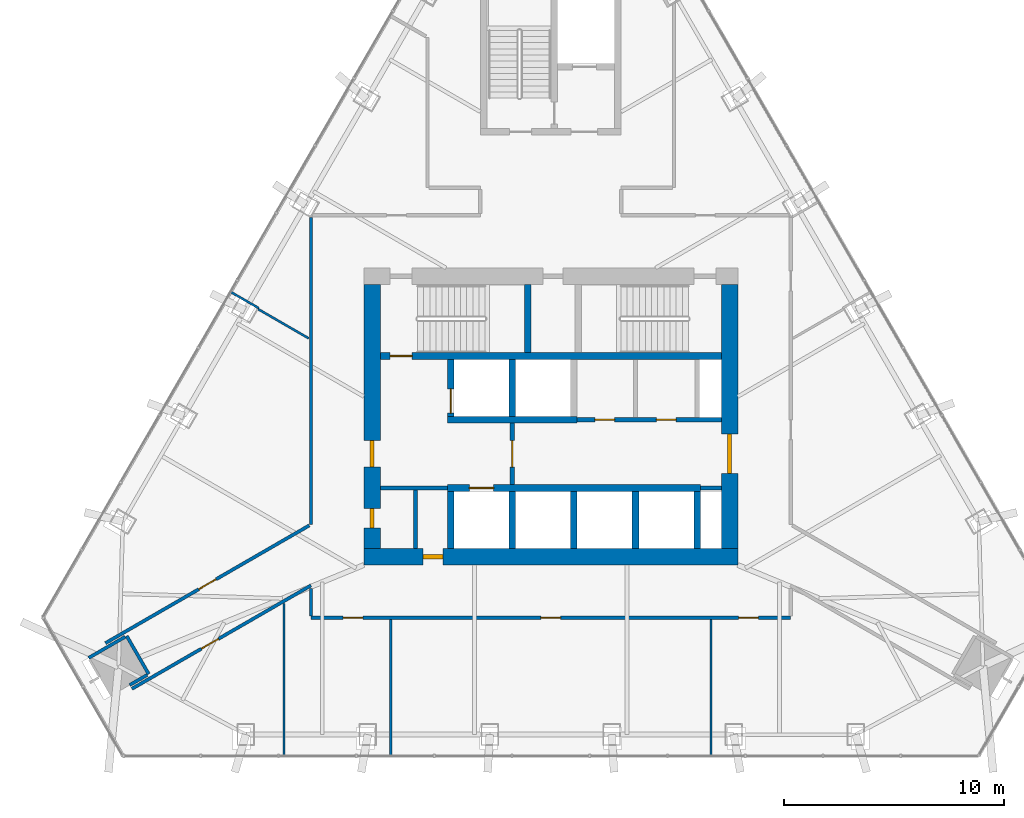
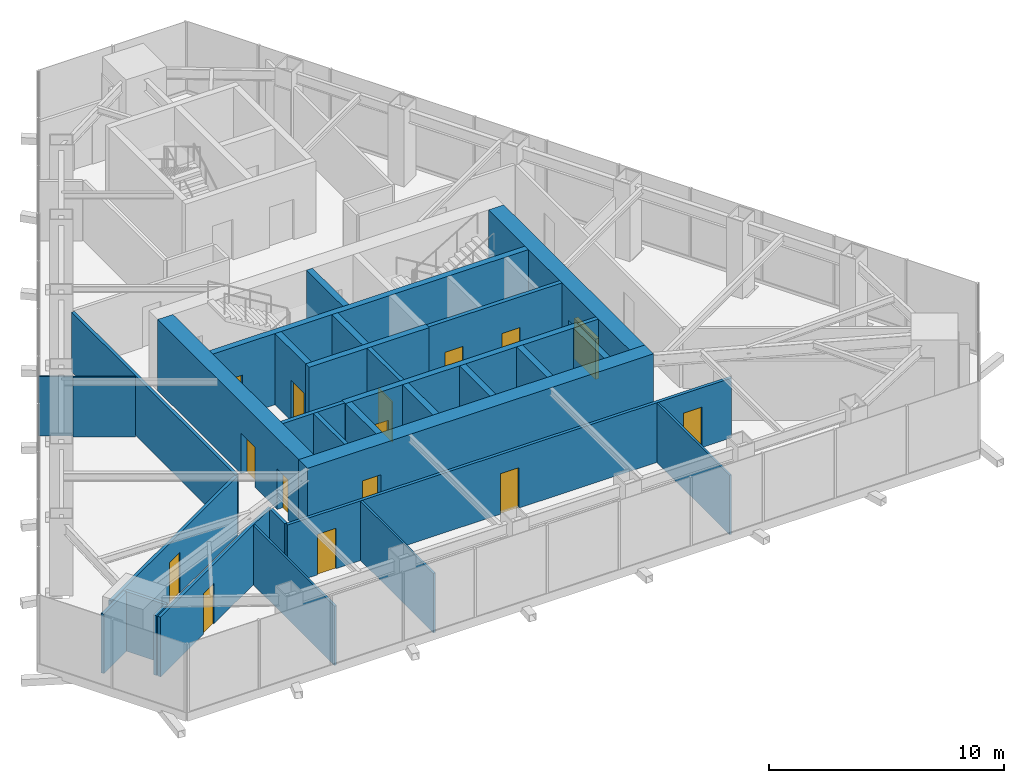
# One storey, part 11 of 14: 32 walls, 15 doors, 15 openings.
"""IFC4 building model written with IfcOpenShell, lengths in metres."""

import ifcopenshell
import ifcopenshell.guid

model = None  # the IFC model being written
_history = None  # IfcOwnerHistory: only IFC2X3 demands one
_inside = {}  # id of a spatial element -> (the spatial element, [elements in it])
_under = {}  # id of a project, library or spatial element -> (it, [spatial elements below it])
_declared = {}  # id of a project -> (the project, [libraries it declares])
_typed = {}  # id of a type object -> (the type object, [elements of that type])
_made_of = {}  # id of a material, layer set ... -> (it, [elements and type objects made of it])


def new_model(schema):
    """Start an empty IFC model of exactly this schema.

    Asked for "IFC4X3", IfcOpenShell would pick the latest addendum, in which some entities
    have other attributes; the version numbers below select the first issue.
    IFC2X3 requires an IfcOwnerHistory on every rooted entity: one is made here for all.
    """
    global model, _history
    if schema == "IFC4X3":
        model = ifcopenshell.file(schema_version=(4, 3, 0, 0))
    else:
        model = ifcopenshell.file(schema=schema)
    _inside.clear()
    _under.clear()
    _declared.clear()
    _typed.clear()
    _made_of.clear()
    _history = None
    if model.schema == "IFC2X3":
        org = make("IfcOrganization", Name="unknown")
        user = make(
            "IfcPersonAndOrganization",
            ThePerson=make("IfcPerson", FamilyName="unknown"),
            TheOrganization=org,
        )
        app = make(
            "IfcApplication",
            ApplicationDeveloper=org,
            Version="unknown",
            ApplicationFullName="unknown",
            ApplicationIdentifier="unknown",
        )
        _history = make(
            "IfcOwnerHistory",
            OwningUser=user,
            OwningApplication=app,
            ChangeAction="ADDED",
            CreationDate=0,
        )
    return model


def make(cls, **values):
    """One entity of the class cls with the attributes given. An attribute that is None is left unset."""
    return model.create_entity(
        cls, **{name: value for name, value in values.items() if value is not None}
    )


def rooted(cls, **values):
    """An entity with a GlobalId (a new one), such as an element, a storey or a relation."""
    return make(cls, GlobalId=ifcopenshell.guid.new(), OwnerHistory=_history, **values)


def si_unit(unit_type, name, prefix=None):
    """IfcSIUnit, for example si_unit("LENGTHUNIT", "METRE", prefix="MILLI")."""
    return make("IfcSIUnit", UnitType=unit_type, Prefix=prefix, Name=name)


def assignment(units):
    """IfcUnitAssignment: the units of a project."""
    return None if units is None else make("IfcUnitAssignment", Units=units)


def point(xyz):
    """IfcCartesianPoint."""
    return None if xyz is None else make("IfcCartesianPoint", Coordinates=xyz)


def direction(xyz):
    """IfcDirection."""
    return None if xyz is None else make("IfcDirection", DirectionRatios=xyz)


def frame(location, z_axis=None, x_axis=None):
    """IfcAxis2Placement3D, a coordinate frame: its origin and axes. An axis left out is left unset."""
    return make(
        "IfcAxis2Placement3D",
        Location=point(location),
        Axis=direction(z_axis),
        RefDirection=direction(x_axis),
    )


def frame_2d(location, x_axis=None):
    """IfcAxis2Placement2D, a coordinate frame in the plane: its origin and x axis."""
    return make(
        "IfcAxis2Placement2D", Location=point(location), RefDirection=direction(x_axis)
    )


def origin():
    """The frame at (0, 0, 0) with its axes left unset."""
    return frame((0.0, 0.0, 0.0))


def place(relative_to, where):
    """IfcLocalPlacement: puts the frame where relative to a parent placement (None: the world)."""
    return make(
        "IfcLocalPlacement", PlacementRelTo=relative_to, RelativePlacement=where
    )


def context(
    kind, dimensions, precision=None, world=None, true_north=None, identifier=None
):
    """IfcGeometricRepresentationContext, for example the 3D "Model" context."""
    return make(
        "IfcGeometricRepresentationContext",
        ContextIdentifier=identifier,
        ContextType=kind,
        CoordinateSpaceDimension=dimensions,
        Precision=precision,
        WorldCoordinateSystem=world,
        TrueNorth=true_north,
    )


def subcontext(parent, identifier, kind, view, scale=None):
    """IfcGeometricRepresentationSubContext, for example "Body" below "Model"."""
    return make(
        "IfcGeometricRepresentationSubContext",
        ContextIdentifier=identifier,
        ContextType=kind,
        ParentContext=parent,
        TargetScale=scale,
        TargetView=view,
    )


def project(units=None, contexts=None):
    """IfcProject with its units and contexts."""
    return rooted(
        "IfcProject",
        Name="project",
        RepresentationContexts=contexts,
        UnitsInContext=assignment(units),
    )


def spatial(cls, under=None, at=None, **own):
    """A site, building, storey or space (cls), placed at a placement, below another one or the project."""
    s = rooted(cls, ObjectPlacement=at, **own)
    if under is not None:
        _under.setdefault(under.id(), (under, []))[1].append(s)
    return s


def profile(cls, at=None, kind="AREA", **sizes):
    """A parametric profile (cls). Its sizes go by their IFC names, for example OverallWidth=200.0."""
    return make(cls, ProfileType=kind, Position=at, **sizes)


def rectangle(**sizes):
    """IfcRectangleProfileDef."""
    return profile("IfcRectangleProfileDef", **sizes)


def extrude(swept, where, along, depth):
    """IfcExtrudedAreaSolid: the profile swept, set in the frame where, extruded along a direction by depth."""
    return make(
        "IfcExtrudedAreaSolid",
        SweptArea=swept,
        Position=where,
        ExtrudedDirection=direction(along),
        Depth=depth,
    )


def shape(context_of_items, identifier, shape_type, items):
    """IfcShapeRepresentation: the items that make up one representation, for example the "Body"."""
    return make(
        "IfcShapeRepresentation",
        ContextOfItems=context_of_items,
        RepresentationIdentifier=identifier,
        RepresentationType=shape_type,
        Items=items,
    )


def material(Name=None, Category=None):
    """IfcMaterial."""
    return make("IfcMaterial", Name=Name, Category=Category)


def layer(
    of_material, thickness, ventilated=None, Name=None, Category=None, Priority=None
):
    """IfcMaterialLayer: one layer of a wall or slab, of a material (None: an air gap)."""
    return make(
        "IfcMaterialLayer",
        Material=of_material,
        LayerThickness=thickness,
        IsVentilated=ventilated,
        Name=Name,
        Category=Category,
        Priority=Priority,
    )


def layer_set(layers, Name=None):
    """IfcMaterialLayerSet."""
    return make("IfcMaterialLayerSet", MaterialLayers=layers, LayerSetName=Name)


def made_of(thing, what):
    """Note that an element or type object is made of a material, layer set ...; save() writes the relation."""
    if what is not None:
        _made_of.setdefault(what.id(), (what, []))[1].append(thing)
    return thing


def type_object(cls, material=None, **own):
    """A type object (cls), such as IfcWallType, which elements share."""
    return made_of(rooted(cls, **own), material)


def element(
    cls,
    number,
    at=None,
    inside=None,
    cuts=None,
    type_object=None,
    material=None,
    context=None,
    identifier="Body",
    shape_type=None,
    held_by="IfcProductDefinitionShape",
    body=None,
    shapes=None,
    **own,
):
    """One element of the class cls, such as IfcWall. Its Tag is "e" and its number.

    at: its placement. inside: the storey or other place that contains it. cuts: it is an
    opening in that element (IfcRelVoidsElement). A single representation is given by context,
    identifier, shape_type and body (its items); several are given by shapes. held_by: the class
    of the entity that holds the representations. save() writes the other relations.
    """
    e = rooted(cls, Tag="e%d" % number, ObjectPlacement=at, **own)
    if body is not None:
        shapes = [shape(context, identifier, shape_type, body)]
    if shapes is not None:
        e.Representation = make(held_by, Representations=shapes)
    if inside is not None:
        _inside.setdefault(inside.id(), (inside, []))[1].append(e)
    if cuts is not None:
        rooted(
            "IfcRelVoidsElement", RelatingBuildingElement=cuts, RelatedOpeningElement=e
        )
    if type_object is not None:
        _typed.setdefault(type_object.id(), (type_object, []))[1].append(e)
    return made_of(e, material)


def fill(opening, filler):
    """IfcRelFillsElement: the door or window that sits in an opening."""
    return rooted(
        "IfcRelFillsElement",
        RelatingOpeningElement=opening,
        RelatedBuildingElement=filler,
    )


def aggregate(whole, parts):
    """IfcRelAggregates: a whole, such as a stair, and the parts it consists of."""
    return rooted("IfcRelAggregates", RelatingObject=whole, RelatedObjects=parts)


def save(model, path):
    """Write the relations noted so far, then the file.

    IfcRelAggregates (storeys below a building ...), IfcRelContainedInSpatialStructure (elements
    in a storey), IfcRelDefinesByType, IfcRelAssociatesMaterial and IfcRelDeclares: one each for
    every whole, place, type object, material and project.
    """
    for whole, parts in _under.values():
        aggregate(whole, parts)
    for where, things in _inside.values():
        rooted(
            "IfcRelContainedInSpatialStructure",
            RelatedElements=things,
            RelatingStructure=where,
        )
    for kind, things in _typed.values():
        rooted("IfcRelDefinesByType", RelatedObjects=things, RelatingType=kind)
    for what, things in _made_of.values():
        rooted("IfcRelAssociatesMaterial", RelatedObjects=things, RelatingMaterial=what)
    for by, libraries in _declared.values():
        rooted("IfcRelDeclares", RelatingContext=by, RelatedDefinitions=libraries)
    model.write(path)


model = new_model("IFC4")

# Units and contexts
model_context = context("Model", 3, precision=1e-05, world=origin(), true_north=direction((0.0, 1.0)))
body_context = subcontext(model_context, "Body", "Model", "MODEL_VIEW")
ifc_project = project(units=[si_unit("LENGTHUNIT", "METRE"), si_unit("AREAUNIT", "SQUARE_METRE"), si_unit("VOLUMEUNIT", "CUBIC_METRE"), si_unit("PLANEANGLEUNIT", "RADIAN"), si_unit("MASSUNIT", "GRAM", prefix="KILO")], contexts=[model_context])

# Site, building, storey
site_placement = place(None, origin())
site = spatial("IfcSite", under=ifc_project, at=site_placement, CompositionType="ELEMENT")
building_placement = place(site_placement, origin())
building = spatial("IfcBuilding", under=site, at=building_placement, Name="Firuza Gate Tower and Library", CompositionType="ELEMENT")
storey_placement = place(building_placement, frame((0.0, 0.0, 331.60009765625)))
storey = spatial("IfcBuildingStorey", under=building, at=storey_placement, Name="L81", CompositionType="ELEMENT", Elevation=331.60009765625)

# Walls
ifc_material_1 = material(Name="Plasterboard on steel studs", Category="steel")
ifc_layer_1 = layer(ifc_material_1, 0.199951171875)
ifc_layer_set_1 = layer_set([ifc_layer_1], Name="Core partition 200 EI 120")
wall_type_1 = type_object("IfcWallType", Name="Core partition 200 EI 120", PredefinedType="PARTITIONING", material=ifc_layer_set_1)
wall_1_placement = place(storey_placement, frame((67.25, 71.75, 0.0), z_axis=(0.0, 0.0, 1.0), x_axis=(1.0, 0.0, 0.0)))
element("IfcWall", 1, at=wall_1_placement, inside=storey, type_object=wall_type_1, Name="Core partition L81 1", PredefinedType="PARTITIONING", context=body_context, shape_type="SweptSolid", body=[
    extrude(rectangle(XDim=3.050048828125, YDim=0.199951171875, at=frame_2d((1.52490234375, 0.0))), origin(), (0.0, 0.0, 1.0), 3.699951171875),
])
wall_2_placement = place(storey_placement, frame((81.800048828125, 71.75, 0.0), z_axis=(0.0, 0.0, 1.0), x_axis=(1.0, 0.0, 0.0)))
element("IfcWall", 2, at=wall_2_placement, inside=storey, type_object=wall_type_1, Name="Core partition L81 2", PredefinedType="PARTITIONING", context=body_context, shape_type="SweptSolid", body=[
    extrude(rectangle(XDim=0.949951171875, YDim=0.199951171875, at=frame_2d((0.47509765625, 0.0))), origin(), (0.0, 0.0, 1.0), 3.699951171875),
])

# Wall, openings, doors
wall_3_placement = place(storey_placement, frame((76.199951171875, 74.85009765625, 0.0), z_axis=(0.0, 0.0, 1.0), x_axis=(1.0, 0.0, 0.0)))
wall_3 = element("IfcWall", 3, at=wall_3_placement, inside=storey, type_object=wall_type_1, Name="Core partition L81 3", PredefinedType="PARTITIONING", context=body_context, shape_type="SweptSolid", body=[
    extrude(rectangle(XDim=6.550048828125, YDim=0.199951171875, at=frame_2d((3.27490234375, 0.0))), origin(), (0.0, 0.0, 1.0), 3.699951171875),
])
opening_1_placement = place(wall_3_placement, frame((0.800048828125, 0.0, 0.0)))
opening_1 = element("IfcOpeningElement", 4, at=opening_1_placement, cuts=wall_3, Name="Opening L81-K15", PredefinedType="OPENING", context=body_context, shape_type="SweptSolid", body=[
    extrude(rectangle(XDim=0.89990234375, YDim=2.10009765625, at=frame_2d((0.449951171875, 1.050048828125))), frame((0.0, 0.10986328125, 0.0), z_axis=(0.0, -1.0, 0.0), x_axis=(1.0, 0.0, 0.0)), (0.0, 0.0, 1.0), 0.219970703125),
])
opening_2_placement = place(wall_3_placement, frame((3.60009765625, 0.0, 0.0)))
opening_2 = element("IfcOpeningElement", 5, at=opening_2_placement, cuts=wall_3, Name="Opening L81-K16", PredefinedType="OPENING", context=body_context, shape_type="SweptSolid", body=[
    extrude(rectangle(XDim=0.89990234375, YDim=2.10009765625, at=frame_2d((0.449951171875, 1.050048828125))), frame((0.0, 0.10986328125, 0.0), z_axis=(0.0, -1.0, 0.0), x_axis=(1.0, 0.0, 0.0)), (0.0, 0.0, 1.0), 0.219970703125),
])
ifc_material_2 = material(Name="Steel", Category="steel")
door_type_1 = type_object("IfcDoorType", Name="Fire door 900x2100 FD30S", OperationType="NOTDEFINED", PredefinedType="DOOR", material=ifc_material_2)
door_1_placement = place(opening_1_placement, origin())
door_1 = element("IfcDoor", 6, at=door_1_placement, inside=storey, type_object=door_type_1, Name="Door L81-K15", OperationType="SINGLE_SWING_RIGHT", OverallHeight=2.10009765625, OverallWidth=0.89990234375, PredefinedType="DOOR", context=body_context, shape_type="SweptSolid", body=[
    extrude(rectangle(XDim=0.89990234375, YDim=2.10009765625, at=frame_2d((0.449951171875, 1.050048828125))), frame((0.0, 0.02490234375, 0.0), z_axis=(0.0, -1.0, 0.0), x_axis=(1.0, 0.0, 0.0)), (0.0, 0.0, 1.0), 0.050048828125),
])
fill(opening_1, door_1)
door_2_placement = place(opening_2_placement, origin())
door_2 = element("IfcDoor", 7, at=door_2_placement, inside=storey, type_object=door_type_1, Name="Door L81-K16", OperationType="SINGLE_SWING_LEFT", OverallHeight=2.10009765625, OverallWidth=0.89990234375, PredefinedType="DOOR", context=body_context, shape_type="SweptSolid", body=[
    extrude(rectangle(XDim=0.89990234375, YDim=2.10009765625, at=frame_2d((0.449951171875, 1.050048828125))), frame((0.0, 0.02490234375, 0.0), z_axis=(0.0, -1.0, 0.0), x_axis=(1.0, 0.0, 0.0)), (0.0, 0.0, 1.0), 0.050048828125),
])
fill(opening_2, door_2)

# Wall
wall_4_placement = place(storey_placement, frame((68.85009765625, 69.0, 0.0), z_axis=(0.0, 0.0, 1.0), x_axis=(0.0, 1.0, 0.0)))
element("IfcWall", 8, at=wall_4_placement, inside=storey, type_object=wall_type_1, Name="Core partition L81 4", PredefinedType="PARTITIONING", context=body_context, shape_type="SweptSolid", body=[
    extrude(rectangle(XDim=2.64990234375, YDim=0.199951171875, at=frame_2d((1.324951171875, 0.0))), origin(), (0.0, 0.0, 1.0), 3.699951171875),
])

# Wall, opening, door
ifc_material_3 = material(Name="Plasterboard on steel studs", Category="steel")
ifc_layer_2 = layer(ifc_material_3, 0.199951171875)
ifc_layer_set_2 = layer_set([ifc_layer_2], Name="Core partition 200 EI 60")
wall_type_2 = type_object("IfcWallType", Name="Core partition 200 EI 60", PredefinedType="PARTITIONING", material=ifc_layer_set_2)
wall_5_placement = place(storey_placement, frame((73.25, 71.89990234375, 0.0), z_axis=(0.0, 0.0, 1.0), x_axis=(0.0, 1.0, 0.0)))
wall_5 = element("IfcWall", 9, at=wall_5_placement, inside=storey, type_object=wall_type_2, Name="Core partition L81 5", PredefinedType="PARTITIONING", context=body_context, shape_type="SweptSolid", body=[
    extrude(rectangle(XDim=2.800048828125, YDim=0.199951171875, at=frame_2d((1.39990234375, 0.0))), origin(), (0.0, 0.0, 1.0), 3.699951171875),
])
opening_3_placement = place(wall_5_placement, frame((0.800048828125, 0.0, 0.0)))
opening_3 = element("IfcOpeningElement", 10, at=opening_3_placement, cuts=wall_5, Name="Opening L81-K10", PredefinedType="OPENING", context=body_context, shape_type="SweptSolid", body=[
    extrude(rectangle(XDim=1.199951171875, YDim=2.10009765625, at=frame_2d((0.60009765625, 1.050048828125))), frame((0.0, 0.10986328125, 0.0), z_axis=(0.0, -1.0, 0.0), x_axis=(1.0, 0.0, 0.0)), (0.0, 0.0, 1.0), 0.219970703125),
])
ifc_material_4 = material(Name="Steel", Category="steel")
door_type_2 = type_object("IfcDoorType", Name="Fire door 1200x2100 FD90S", OperationType="NOTDEFINED", PredefinedType="DOOR", material=ifc_material_4)
door_3_placement = place(opening_3_placement, origin())
door_3 = element("IfcDoor", 11, at=door_3_placement, inside=storey, type_object=door_type_2, Name="Door L81-K10", OperationType="SINGLE_SWING_LEFT", OverallHeight=2.10009765625, OverallWidth=1.199951171875, PredefinedType="DOOR", context=body_context, shape_type="SweptSolid", body=[
    extrude(rectangle(XDim=1.199951171875, YDim=2.10009765625, at=frame_2d((0.60009765625, 1.050048828125))), frame((0.0, 0.02490234375, 0.0), z_axis=(0.0, -1.0, 0.0), x_axis=(1.0, 0.0, 0.0)), (0.0, 0.0, 1.0), 0.050048828125),
])
fill(opening_3, door_3)

ifc_material_5 = material(Name="Concrete C60/75", Category="concrete")
ifc_layer_3 = layer(ifc_material_5, 0.300048828125)
ifc_layer_set_3 = layer_set([ifc_layer_3], Name="Core wall 300 C60/75")
wall_type_3 = type_object("IfcWallType", Name="Core wall 300 C60/75", PredefinedType="SHEAR", material=ifc_layer_set_3)
wall_6_placement = place(storey_placement, frame((70.300048828125, 71.75, 0.0), z_axis=(0.0, 0.0, 1.0), x_axis=(1.0, 0.0, 0.0)))
wall_6 = element("IfcWall", 12, at=wall_6_placement, inside=storey, type_object=wall_type_3, Name="Core wall L81 5", PredefinedType="SHEAR", context=body_context, shape_type="SweptSolid", body=[
    extrude(rectangle(XDim=11.5, YDim=0.300048828125, at=frame_2d((5.75, 0.0))), origin(), (0.0, 0.0, 1.0), 3.699951171875),
])
opening_4_placement = place(wall_6_placement, frame((1.0, 0.0, 0.0)))
opening_4 = element("IfcOpeningElement", 13, at=opening_4_placement, cuts=wall_6, Name="Opening LD-FF1-L81", PredefinedType="OPENING", context=body_context, shape_type="SweptSolid", body=[
    extrude(rectangle(XDim=1.10009765625, YDim=2.10009765625, at=frame_2d((0.550048828125, 1.050048828125))), frame((0.0, 0.16015625, 0.0), z_axis=(0.0, -1.0, 0.0), x_axis=(1.0, 0.0, 0.0)), (0.0, 0.0, 1.0), 0.320068359375),
])
ifc_material_6 = material(Name="Stainless steel", Category="steel")
door_type_3 = type_object("IfcDoorType", Name="Lift landing door 1100x2100", OperationType="DOUBLE_DOOR_SLIDING", PredefinedType="DOOR", material=ifc_material_6)
door_4_placement = place(opening_4_placement, origin())
door_4 = element("IfcDoor", 14, at=door_4_placement, inside=storey, type_object=door_type_3, Name="Landing door FF1 L81", OperationType="DOUBLE_DOOR_SLIDING", OverallHeight=2.10009765625, OverallWidth=1.10009765625, PredefinedType="DOOR", context=body_context, shape_type="SweptSolid", body=[
    extrude(rectangle(XDim=1.10009765625, YDim=2.10009765625, at=frame_2d((0.550048828125, 1.050048828125))), frame((0.0, 0.02490234375, 0.0), z_axis=(0.0, -1.0, 0.0), x_axis=(1.0, 0.0, 0.0)), (0.0, 0.0, 1.0), 0.050048828125),
])
fill(opening_4, door_4)

# Walls
wall_7_placement = place(storey_placement, frame((70.300048828125, 74.85009765625, 0.0), z_axis=(0.0, 0.0, 1.0), x_axis=(1.0, 0.0, 0.0)))
element("IfcWall", 15, at=wall_7_placement, inside=storey, type_object=wall_type_3, Name="Core wall L81 6", PredefinedType="SHEAR", context=body_context, shape_type="SweptSolid", body=[
    extrude(rectangle(XDim=5.89990234375, YDim=0.300048828125, at=frame_2d((2.949951171875, 0.0))), origin(), (0.0, 0.0, 1.0), 3.699951171875),
])
wall_8_placement = place(storey_placement, frame((70.449951171875, 69.0, 0.0), z_axis=(0.0, 0.0, 1.0), x_axis=(0.0, 1.0, 0.0)))
element("IfcWall", 16, at=wall_8_placement, inside=storey, type_object=wall_type_3, Name="Core wall L81 7", PredefinedType="SHEAR", context=body_context, shape_type="SweptSolid", body=[
    extrude(rectangle(XDim=2.60009765625, YDim=0.300048828125, at=frame_2d((1.300048828125, 0.0))), origin(), (0.0, 0.0, 1.0), 3.699951171875),
])

# Wall, opening, door
wall_9_placement = place(storey_placement, frame((70.449951171875, 75.0, 0.0), z_axis=(0.0, 0.0, 1.0), x_axis=(0.0, 1.0, 0.0)))
wall_9 = element("IfcWall", 17, at=wall_9_placement, inside=storey, type_object=wall_type_3, Name="Core wall L81 8", PredefinedType="SHEAR", context=body_context, shape_type="SweptSolid", body=[
    extrude(rectangle(XDim=2.60009765625, YDim=0.300048828125, at=frame_2d((1.300048828125, 0.0))), origin(), (0.0, 0.0, 1.0), 3.699951171875),
])
opening_5_placement = place(wall_9_placement, frame((0.14990234375, 0.0, 0.0)))
opening_5 = element("IfcOpeningElement", 18, at=opening_5_placement, cuts=wall_9, Name="Opening LD-FF2-L81", PredefinedType="OPENING", context=body_context, shape_type="SweptSolid", body=[
    extrude(rectangle(XDim=1.10009765625, YDim=2.10009765625, at=frame_2d((0.550048828125, 1.050048828125))), frame((0.0, 0.16015625, 0.0), z_axis=(0.0, -1.0, 0.0), x_axis=(1.0, 0.0, 0.0)), (0.0, 0.0, 1.0), 0.320068359375),
])
door_5_placement = place(opening_5_placement, origin())
door_5 = element("IfcDoor", 19, at=door_5_placement, inside=storey, type_object=door_type_3, Name="Landing door FF2 L81", OperationType="DOUBLE_DOOR_SLIDING", OverallHeight=2.10009765625, OverallWidth=1.10009765625, PredefinedType="DOOR", context=body_context, shape_type="SweptSolid", body=[
    extrude(rectangle(XDim=1.10009765625, YDim=2.10009765625, at=frame_2d((0.550048828125, 1.050048828125))), frame((0.0, 0.02490234375, 0.0), z_axis=(0.0, -1.0, 0.0), x_axis=(1.0, 0.0, 0.0)), (0.0, 0.0, 1.0), 0.050048828125),
])
fill(opening_5, door_5)

# Walls
for number, where, z_axis, x_axis, name in (
    (20, (73.25, 69.0, 0.0), (0.0, 0.0, 1.0), (0.0, 1.0, 0.0), "Core wall L81 9"),
    (21, (73.25, 75.0, 0.0), (0.0, 0.0, 1.0), (0.0, 1.0, 0.0), "Core wall L81 10"),
    (22, (76.050048828125, 69.0, 0.0), (0.0, 0.0, 1.0), (0.0, 1.0, 0.0), "Core wall L81 11"),
    (23, (78.85009765625, 69.0, 0.0), (0.0, 0.0, 1.0), (0.0, 1.0, 0.0), "Core wall L81 13"),
    (24, (81.64990234375, 69.0, 0.0), (0.0, 0.0, 1.0), (0.0, 1.0, 0.0), "Core wall L81 14"),
):
    element("IfcWall", number, at=place(storey_placement, frame(where, z_axis=z_axis, x_axis=x_axis)), inside=storey, type_object=wall_type_3, Name=name, PredefinedType="SHEAR", context=body_context, shape_type="SweptSolid", body=[
        extrude(rectangle(XDim=2.60009765625, YDim=0.300048828125, at=frame_2d((1.300048828125, 0.0))), origin(), (0.0, 0.0, 1.0), 3.699951171875),
    ])

# Wall, opening, door
wall_10_placement = place(storey_placement, frame((67.25, 77.75, 0.0), z_axis=(0.0, 0.0, 1.0), x_axis=(1.0, 0.0, 0.0)))
wall_10 = element("IfcWall", 25, at=wall_10_placement, inside=storey, type_object=wall_type_3, Name="Core wall L81 15", PredefinedType="SHEAR", context=body_context, shape_type="SweptSolid", body=[
    extrude(rectangle(XDim=15.5, YDim=0.300048828125, at=frame_2d((7.75, 0.0))), origin(), (0.0, 0.0, 1.0), 3.699951171875),
])
opening_6_placement = place(wall_10_placement, frame((0.445068359375, 0.0, 0.0)))
opening_6 = element("IfcOpeningElement", 26, at=opening_6_placement, cuts=wall_10, Name="Opening L81-K04", PredefinedType="OPENING", context=body_context, shape_type="SweptSolid", body=[
    extrude(rectangle(XDim=1.0, YDim=2.10009765625, at=frame_2d((0.5, 1.050048828125))), frame((0.0, 0.16015625, 0.0), z_axis=(0.0, -1.0, 0.0), x_axis=(1.0, 0.0, 0.0)), (0.0, 0.0, 1.0), 0.320068359375),
])
ifc_material_7 = material(Name="Steel", Category="steel")
door_type_4 = type_object("IfcDoorType", Name="Fire door 1000x2100 FD90", OperationType="NOTDEFINED", PredefinedType="DOOR", material=ifc_material_7)
door_6_placement = place(opening_6_placement, origin())
door_6 = element("IfcDoor", 27, at=door_6_placement, inside=storey, type_object=door_type_4, Name="Door L81-K04", OperationType="SINGLE_SWING_LEFT", OverallHeight=2.10009765625, OverallWidth=1.0, PredefinedType="DOOR", context=body_context, shape_type="SweptSolid", body=[
    extrude(rectangle(XDim=1.0, YDim=2.10009765625, at=frame_2d((0.5, 1.050048828125))), frame((0.0, 0.02490234375, 0.0), z_axis=(0.0, -1.0, 0.0), x_axis=(1.0, 0.0, 0.0)), (0.0, 0.0, 1.0), 0.050048828125),
])
fill(opening_6, door_6)

# Wall
wall_11_placement = place(storey_placement, frame((73.9599609375, 77.89990234375, 0.0), z_axis=(0.0, 0.0, 1.0), x_axis=(0.0, 1.0, 0.0)))
element("IfcWall", 28, at=wall_11_placement, inside=storey, type_object=wall_type_3, Name="Core wall L81 16", PredefinedType="SHEAR", context=body_context, shape_type="SweptSolid", body=[
    extrude(rectangle(XDim=3.10009765625, YDim=0.300048828125, at=frame_2d((1.550048828125, 0.0))), origin(), (0.0, 0.0, 1.0), 3.699951171875),
])

# Wall, opening, door
ifc_material_8 = material(Name="Concrete C60/75", Category="concrete")
ifc_layer_4 = layer(ifc_material_8, 0.75)
ifc_layer_set_4 = layer_set([ifc_layer_4], Name="Core wall 750 C60/75")
wall_type_4 = type_object("IfcWallType", Name="Core wall 750 C60/75", PredefinedType="SHEAR", material=ifc_layer_set_4)
wall_12_placement = place(storey_placement, frame((66.5, 68.625, 0.0), z_axis=(0.0, 0.0, 1.0), x_axis=(1.0, 0.0, 0.0)))
wall_12 = element("IfcWall", 29, at=wall_12_placement, inside=storey, type_object=wall_type_4, Name="Core wall L81 1", PredefinedType="SHEAR", context=body_context, shape_type="SweptSolid", body=[
    extrude(rectangle(XDim=17.0, YDim=0.75, at=frame_2d((8.5, 0.0))), origin(), (0.0, 0.0, 1.0), 3.699951171875),
])
opening_7_placement = place(wall_12_placement, frame((2.699951171875, 0.0, 0.0)))
opening_7 = element("IfcOpeningElement", 30, at=opening_7_placement, cuts=wall_12, Name="Opening L81-K14", PredefinedType="OPENING", context=body_context, shape_type="SweptSolid", body=[
    extrude(rectangle(XDim=0.89990234375, YDim=2.10009765625, at=frame_2d((0.449951171875, 1.050048828125))), frame((0.0, 0.385009765625, 0.0), z_axis=(0.0, -1.0, 0.0), x_axis=(1.0, 0.0, 0.0)), (0.0, 0.0, 1.0), 0.77001953125),
])
door_7_placement = place(opening_7_placement, origin())
door_7 = element("IfcDoor", 31, at=door_7_placement, inside=storey, type_object=door_type_1, Name="Door L81-K14", OperationType="SINGLE_SWING_LEFT", OverallHeight=2.10009765625, OverallWidth=0.89990234375, PredefinedType="DOOR", context=body_context, shape_type="SweptSolid", body=[
    extrude(rectangle(XDim=0.89990234375, YDim=2.10009765625, at=frame_2d((0.449951171875, 1.050048828125))), frame((0.0, 0.094970703125, 0.0), z_axis=(0.0, -1.0, 0.0), x_axis=(1.0, 0.0, 0.0)), (0.0, 0.0, 1.0), 0.18994140625),
])
fill(opening_7, door_7)

# Wall, openings, doors
wall_13_placement = place(storey_placement, frame((66.875, 69.0, 0.0), z_axis=(0.0, 0.0, 1.0), x_axis=(0.0, 1.0, 0.0)))
wall_13 = element("IfcWall", 32, at=wall_13_placement, inside=storey, type_object=wall_type_4, Name="Core wall L81 3", PredefinedType="SHEAR", context=body_context, shape_type="SweptSolid", body=[
    extrude(rectangle(XDim=12.0, YDim=0.75, at=frame_2d((6.0, 0.0))), origin(), (0.0, 0.0, 1.0), 3.699951171875),
])
opening_8_placement = place(wall_13_placement, frame((3.699951171875, 0.0, 0.0)))
opening_8 = element("IfcOpeningElement", 33, at=opening_8_placement, cuts=wall_13, Name="Opening L81-K11", PredefinedType="OPENING", context=body_context, shape_type="SweptSolid", body=[
    extrude(rectangle(XDim=1.199951171875, YDim=2.10009765625, at=frame_2d((0.60009765625, 1.050048828125))), frame((0.0, 0.385009765625, 0.0), z_axis=(0.0, -1.0, 0.0), x_axis=(1.0, 0.0, 0.0)), (0.0, 0.0, 1.0), 0.77001953125),
])
opening_9_placement = place(wall_13_placement, frame((0.925048828125, 0.0, 0.0)))
opening_9 = element("IfcOpeningElement", 34, at=opening_9_placement, cuts=wall_13, Name="Opening L81-K13", PredefinedType="OPENING", context=body_context, shape_type="SweptSolid", body=[
    extrude(rectangle(XDim=0.89990234375, YDim=2.10009765625, at=frame_2d((0.449951171875, 1.050048828125))), frame((0.0, 0.385009765625, 0.0), z_axis=(0.0, -1.0, 0.0), x_axis=(1.0, 0.0, 0.0)), (0.0, 0.0, 1.0), 0.77001953125),
])
door_8_placement = place(opening_8_placement, origin())
door_8 = element("IfcDoor", 35, at=door_8_placement, inside=storey, type_object=door_type_2, Name="Door L81-K11", OperationType="SINGLE_SWING_RIGHT", OverallHeight=2.10009765625, OverallWidth=1.199951171875, PredefinedType="DOOR", context=body_context, shape_type="SweptSolid", body=[
    extrude(rectangle(XDim=1.199951171875, YDim=2.10009765625, at=frame_2d((0.60009765625, 1.050048828125))), frame((0.0, 0.094970703125, 0.0), z_axis=(0.0, -1.0, 0.0), x_axis=(1.0, 0.0, 0.0)), (0.0, 0.0, 1.0), 0.18994140625),
])
fill(opening_8, door_8)
door_9_placement = place(opening_9_placement, origin())
door_9 = element("IfcDoor", 36, at=door_9_placement, inside=storey, type_object=door_type_1, Name="Door L81-K13", OperationType="SINGLE_SWING_RIGHT", OverallHeight=2.10009765625, OverallWidth=0.89990234375, PredefinedType="DOOR", context=body_context, shape_type="SweptSolid", body=[
    extrude(rectangle(XDim=0.89990234375, YDim=2.10009765625, at=frame_2d((0.449951171875, 1.050048828125))), frame((0.0, 0.094970703125, 0.0), z_axis=(0.0, -1.0, 0.0), x_axis=(1.0, 0.0, 0.0)), (0.0, 0.0, 1.0), 0.18994140625),
])
fill(opening_9, door_9)

# Wall, opening, door
wall_14_placement = place(storey_placement, frame((83.125, 69.0, 0.0), z_axis=(0.0, 0.0, 1.0), x_axis=(0.0, 1.0, 0.0)))
wall_14 = element("IfcWall", 37, at=wall_14_placement, inside=storey, type_object=wall_type_4, Name="Core wall L81 4", PredefinedType="SHEAR", context=body_context, shape_type="SweptSolid", body=[
    extrude(rectangle(XDim=12.0, YDim=0.75, at=frame_2d((6.0, 0.0))), origin(), (0.0, 0.0, 1.0), 3.699951171875),
])
opening_10_placement = place(wall_14_placement, frame((3.39990234375, 0.0, 0.0)))
opening_10 = element("IfcOpeningElement", 38, at=opening_10_placement, cuts=wall_14, Name="Opening L81-K12", PredefinedType="OPENING", context=body_context, shape_type="SweptSolid", body=[
    extrude(rectangle(XDim=1.800048828125, YDim=2.10009765625, at=frame_2d((0.89990234375, 1.050048828125))), frame((0.0, 0.385009765625, 0.0), z_axis=(0.0, -1.0, 0.0), x_axis=(1.0, 0.0, 0.0)), (0.0, 0.0, 1.0), 0.77001953125),
])
ifc_material_9 = material(Name="Steel", Category="steel")
door_type_5 = type_object("IfcDoorType", Name="Fire door 1800x2100 FD30S", OperationType="NOTDEFINED", PredefinedType="DOOR", material=ifc_material_9)
door_10_placement = place(opening_10_placement, origin())
door_10 = element("IfcDoor", 39, at=door_10_placement, inside=storey, type_object=door_type_5, Name="Door L81-K12", OperationType="SINGLE_SWING_LEFT", OverallHeight=2.10009765625, OverallWidth=1.800048828125, PredefinedType="DOOR", context=body_context, shape_type="SweptSolid", body=[
    extrude(rectangle(XDim=1.800048828125, YDim=2.10009765625, at=frame_2d((0.89990234375, 1.050048828125))), frame((0.0, 0.094970703125, 0.0), z_axis=(0.0, -1.0, 0.0), x_axis=(1.0, 0.0, 0.0)), (0.0, 0.0, 1.0), 0.18994140625),
])
fill(opening_10, door_10)

# Wall, openings, doors
ifc_material_10 = material(Name="Gypsum board partition")
ifc_layer_5 = layer(ifc_material_10, 0.14990234375)
ifc_layer_set_5 = layer_set([ifc_layer_5], Name="Corridor wall 150 double board on steel studs")
wall_type_5 = type_object("IfcWallType", Name="Corridor wall 150 double board on steel studs", PredefinedType="PARTITIONING", material=ifc_layer_set_5)
wall_15_placement = place(storey_placement, frame((85.8994140625, 65.85009765625, 0.0), z_axis=(0.0, 0.0, 1.0), x_axis=(-1.0, 0.0, 0.0)))
wall_15 = element("IfcWall", 40, at=wall_15_placement, inside=storey, type_object=wall_type_5, Name="f:L81:w000", PredefinedType="PARTITIONING", context=body_context, shape_type="SweptSolid", body=[
    extrude(rectangle(XDim=21.798828125, YDim=0.14990234375, at=frame_2d((10.8994140625, 0.0))), origin(), (0.0, 0.0, 1.0), 3.099853515625),
])
opening_11_placement = place(wall_15_placement, frame((1.463623046875, 0.0, 0.0)))
opening_11 = element("IfcOpeningElement", 41, at=opening_11_placement, cuts=wall_15, Name="Opening L81-01", PredefinedType="OPENING", context=body_context, shape_type="SweptSolid", body=[
    extrude(rectangle(XDim=0.89990234375, YDim=2.10009765625, at=frame_2d((0.449951171875, 1.050048828125))), frame((0.0, 0.0849609375, 0.0), z_axis=(0.0, -1.0, 0.0), x_axis=(1.0, 0.0, 0.0)), (0.0, 0.0, 1.0), 0.169921875),
])
opening_12_placement = place(wall_15_placement, frame((10.449462890625, 0.0, 0.0)))
opening_12 = element("IfcOpeningElement", 42, at=opening_12_placement, cuts=wall_15, Name="Opening L81-02", PredefinedType="OPENING", context=body_context, shape_type="SweptSolid", body=[
    extrude(rectangle(XDim=0.89990234375, YDim=2.10009765625, at=frame_2d((0.449951171875, 1.050048828125))), frame((0.0, 0.0849609375, 0.0), z_axis=(0.0, -1.0, 0.0), x_axis=(1.0, 0.0, 0.0)), (0.0, 0.0, 1.0), 0.169921875),
])
opening_13_placement = place(wall_15_placement, frame((19.435302734375, 0.0, 0.0)))
opening_13 = element("IfcOpeningElement", 43, at=opening_13_placement, cuts=wall_15, Name="Opening L81-03", PredefinedType="OPENING", context=body_context, shape_type="SweptSolid", body=[
    extrude(rectangle(XDim=0.89990234375, YDim=2.10009765625, at=frame_2d((0.449951171875, 1.050048828125))), frame((0.0, 0.0849609375, 0.0), z_axis=(0.0, -1.0, 0.0), x_axis=(1.0, 0.0, 0.0)), (0.0, 0.0, 1.0), 0.169921875),
])
ifc_material_11 = material(Name="Steel door and timber leaf", Category="steel")
door_type_6 = type_object("IfcDoorType", Name="Fire door 900 x 2100 steel frame, timber leaf", OperationType="NOTDEFINED", PredefinedType="DOOR", material=ifc_material_11)
door_11_placement = place(opening_11_placement, origin())
door_11 = element("IfcDoor", 44, at=door_11_placement, inside=storey, type_object=door_type_6, Name="f:L81:d001", OperationType="SINGLE_SWING_LEFT", OverallHeight=2.10009765625, OverallWidth=0.89990234375, PredefinedType="DOOR", context=body_context, shape_type="SweptSolid", body=[
    extrude(rectangle(XDim=0.89990234375, YDim=2.10009765625, at=frame_2d((0.449951171875, 1.050048828125))), frame((0.0, 0.02490234375, 0.0), z_axis=(0.0, -1.0, 0.0), x_axis=(1.0, 0.0, 0.0)), (0.0, 0.0, 1.0), 0.050048828125),
])
fill(opening_11, door_11)
door_12_placement = place(opening_12_placement, origin())
door_12 = element("IfcDoor", 45, at=door_12_placement, inside=storey, type_object=door_type_6, Name="f:L81:d002", OperationType="SINGLE_SWING_RIGHT", OverallHeight=2.10009765625, OverallWidth=0.89990234375, PredefinedType="DOOR", context=body_context, shape_type="SweptSolid", body=[
    extrude(rectangle(XDim=0.89990234375, YDim=2.10009765625, at=frame_2d((0.449951171875, 1.050048828125))), frame((0.0, 0.02490234375, 0.0), z_axis=(0.0, -1.0, 0.0), x_axis=(1.0, 0.0, 0.0)), (0.0, 0.0, 1.0), 0.050048828125),
])
fill(opening_12, door_12)
door_13_placement = place(opening_13_placement, origin())
door_13 = element("IfcDoor", 46, at=door_13_placement, inside=storey, type_object=door_type_6, Name="f:L81:d003", OperationType="SINGLE_SWING_LEFT", OverallHeight=2.10009765625, OverallWidth=0.89990234375, PredefinedType="DOOR", context=body_context, shape_type="SweptSolid", body=[
    extrude(rectangle(XDim=0.89990234375, YDim=2.10009765625, at=frame_2d((0.449951171875, 1.050048828125))), frame((0.0, 0.02490234375, 0.0), z_axis=(0.0, -1.0, 0.0), x_axis=(1.0, 0.0, 0.0)), (0.0, 0.0, 1.0), 0.050048828125),
])
fill(opening_13, door_13)

# Wall, opening, door
wall_16_placement = place(storey_placement, frame((64.099853515625, 67.3212890625, 0.0), z_axis=(0.0, 0.0, 1.0), x_axis=(-0.866027286158, -0.499996739618, 0.0)))
wall_16 = element("IfcWall", 47, at=wall_16_placement, inside=storey, type_object=wall_type_5, Name="f:L81:w009", PredefinedType="PARTITIONING", context=body_context, shape_type="SweptSolid", body=[
    extrude(rectangle(XDim=9.39990234375, YDim=0.14990234375, at=frame_2d((4.699951171875, 0.0))), origin(), (0.0, 0.0, 1.0), 3.096923828125),
])
opening_14_placement = place(wall_16_placement, frame((4.855712890625, 0.0, 0.0)))
opening_14 = element("IfcOpeningElement", 48, at=opening_14_placement, cuts=wall_16, Name="Opening L81-07", PredefinedType="OPENING", context=body_context, shape_type="SweptSolid", body=[
    extrude(rectangle(XDim=0.89990234375, YDim=2.10009765625, at=frame_2d((0.449951171875, 1.050048828125))), frame((0.0, 0.0849609375, 0.0), z_axis=(0.0, -1.0, 0.0), x_axis=(1.0, 0.0, 0.0)), (0.0, 0.0, 1.0), 0.169921875),
])
door_14_placement = place(opening_14_placement, origin())
door_14 = element("IfcDoor", 49, at=door_14_placement, inside=storey, type_object=door_type_6, Name="f:L81:d007", OperationType="SINGLE_SWING_RIGHT", OverallHeight=2.10009765625, OverallWidth=0.89990234375, PredefinedType="DOOR", context=body_context, shape_type="SweptSolid", body=[
    extrude(rectangle(XDim=0.89990234375, YDim=2.10009765625, at=frame_2d((0.449951171875, 1.050048828125))), frame((0.0, 0.02490234375, 0.0), z_axis=(0.0, -1.0, 0.0), x_axis=(1.0, 0.0, 0.0)), (0.0, 0.0, 1.0), 0.050048828125),
])
fill(opening_14, door_14)

# Walls
wall_17_placement = place(storey_placement, frame((55.859130859375, 62.79443359375, 0.0), z_axis=(0.0, 0.0, 1.0), x_axis=(0.865974401185, 0.500088328689, 0.0)))
element("IfcWall", 50, at=wall_17_placement, inside=storey, type_object=wall_type_5, Name="f:L81:w010", PredefinedType="PARTITIONING", context=body_context, shape_type="SweptSolid", body=[
    extrude(rectangle(XDim=0.924072265625, YDim=0.14990234375, at=frame_2d((0.4619140625, 0.0))), origin(), (0.0, 0.0, 1.0), 3.099853515625),
])
wall_18_placement = place(storey_placement, frame((53.9931640625, 64.026611328125, 0.0), z_axis=(0.0, 0.0, 1.0), x_axis=(0.866048237946, 0.499960447986, 0.0)))
element("IfcWall", 51, at=wall_18_placement, inside=storey, type_object=wall_type_5, Name="f:L81:w012", PredefinedType="PARTITIONING", context=body_context, shape_type="SweptSolid", body=[
    extrude(rectangle(XDim=1.924072265625, YDim=0.14990234375, at=frame_2d((0.9619140625, 0.0))), origin(), (0.0, 0.0, 1.0), 3.099853515625),
])

# Wall, opening, door
wall_19_placement = place(storey_placement, frame((54.75927734375, 64.69970703125, 0.0), z_axis=(0.0, 0.0, 1.0), x_axis=(0.866021425885, 0.500006889861, 0.0)))
wall_19 = element("IfcWall", 52, at=wall_19_placement, inside=storey, type_object=wall_type_5, Name="f:L81:w013", PredefinedType="PARTITIONING", context=body_context, shape_type="SweptSolid", body=[
    extrude(rectangle(XDim=10.698974609375, YDim=0.14990234375, at=frame_2d((5.349609375, 0.0))), origin(), (0.0, 0.0, 1.0), 3.099853515625),
])
opening_15_placement = place(wall_19_placement, frame((4.899658203125, 0.0, 0.0)))
opening_15 = element("IfcOpeningElement", 53, at=opening_15_placement, cuts=wall_19, Name="Opening L81-08", PredefinedType="OPENING", context=body_context, shape_type="SweptSolid", body=[
    extrude(rectangle(XDim=0.89990234375, YDim=2.10009765625, at=frame_2d((0.449951171875, 1.050048828125))), frame((0.0, 0.0849609375, 0.0), z_axis=(0.0, -1.0, 0.0), x_axis=(1.0, 0.0, 0.0)), (0.0, 0.0, 1.0), 0.169921875),
])
door_15_placement = place(opening_15_placement, origin())
door_15 = element("IfcDoor", 54, at=door_15_placement, inside=storey, type_object=door_type_6, Name="f:L81:d008", OperationType="SINGLE_SWING_RIGHT", OverallHeight=2.10009765625, OverallWidth=0.89990234375, PredefinedType="DOOR", context=body_context, shape_type="SweptSolid", body=[
    extrude(rectangle(XDim=0.89990234375, YDim=2.10009765625, at=frame_2d((0.449951171875, 1.050048828125))), frame((0.0, 0.02490234375, 0.0), z_axis=(0.0, -1.0, 0.0), x_axis=(1.0, 0.0, 0.0)), (0.0, 0.0, 1.0), 0.050048828125),
])
fill(opening_15, door_15)

# Walls
wall_20_placement = place(storey_placement, frame((64.10009765625, 65.925537109375, 0.0), z_axis=(0.0, 0.0, 1.0), x_axis=(0.0, 1.0, 0.0)))
element("IfcWall", 55, at=wall_20_placement, inside=storey, type_object=wall_type_5, Name="f:L81:w030", PredefinedType="PARTITIONING", context=body_context, shape_type="SweptSolid", body=[
    extrude(rectangle(XDim=1.259033203125, YDim=0.14990234375, at=frame_2d((0.62939453125, 0.0))), origin(), (0.0, 0.0, 1.0), 3.096923828125),
])
wall_21_placement = place(storey_placement, frame((64.10009765625, 70.092529296875, 0.0), z_axis=(0.0, 0.0, 1.0), x_axis=(0.0, 1.0, 0.0)))
element("IfcWall", 56, at=wall_21_placement, inside=storey, type_object=wall_type_5, Name="f:L81:w031", PredefinedType="PARTITIONING", context=body_context, shape_type="SweptSolid", body=[
    extrude(rectangle(XDim=13.943115234375, YDim=0.14990234375, at=frame_2d((6.9716796875, 0.0))), origin(), (0.0, 0.0, 1.0), 3.099853515625),
])
wall_22_placement = place(storey_placement, frame((56.724365234375, 63.29443359375, 0.0), z_axis=(0.0, 0.0, 1.0), x_axis=(-0.500000846469, 0.866024915075, 0.0)))
element("IfcWall", 57, at=wall_22_placement, inside=storey, type_object=wall_type_5, Name="f:L81:w034", PredefinedType="PARTITIONING", context=body_context, shape_type="SweptSolid", body=[
    extrude(rectangle(XDim=1.9990234375, YDim=0.14990234375, at=frame_2d((0.99951171875, 0.0))), origin(), (0.0, 0.0, 1.0), 3.096923828125),
])
ifc_material_12 = material(Name="Gypsum board partition")
ifc_layer_6 = layer(ifc_material_12, 0.10009765625)
ifc_layer_set_6 = layer_set([ifc_layer_6], Name="Partition 100 gypsum board on steel studs")
wall_type_6 = type_object("IfcWallType", Name="Partition 100 gypsum board on steel studs", PredefinedType="PARTITIONING", material=ifc_layer_set_6)
for number, where, z_axis, x_axis, name in (
    (58, (82.27490234375, 59.58251953125, 0.0), (0.0, 0.0, 1.0), (0.0, 1.0, 0.0), "f:L81:w020"),
    (59, (67.72509765625, 59.58251953125, 0.0), (0.0, 0.0, 1.0), (0.0, 1.0, 0.0), "f:L81:w029"),
):
    element("IfcWall", number, at=place(storey_placement, frame(where, z_axis=z_axis, x_axis=x_axis)), inside=storey, type_object=wall_type_6, Name=name, PredefinedType="PARTITIONING", context=body_context, shape_type="SweptSolid", body=[
        extrude(rectangle(XDim=6.1923828125, YDim=0.10009765625, at=frame_2d((3.09619140625, 0.0))), origin(), (0.0, 0.0, 1.0), 3.087890625),
    ])
wall_23_placement = place(storey_placement, frame((62.875, 59.58251953125, 0.0), z_axis=(0.0, 0.0, 1.0), x_axis=(0.0, 1.0, 0.0)))
element("IfcWall", 60, at=wall_23_placement, inside=storey, type_object=wall_type_6, Name="f:L81:w032", PredefinedType="PARTITIONING", context=body_context, shape_type="SweptSolid", body=[
    extrude(rectangle(XDim=6.914794921875, YDim=0.10009765625, at=frame_2d((3.45751953125, 0.0))), origin(), (0.0, 0.0, 1.0), 3.087890625),
])
wall_24_placement = place(storey_placement, frame((61.72607421875, 79.9248046875, 0.0), z_axis=(0.0, 0.0, 1.0), x_axis=(-0.866021227388, 0.500007233661, 0.0)))
element("IfcWall", 61, at=wall_24_placement, inside=storey, type_object=wall_type_6, Name="f:L81:w042", PredefinedType="PARTITIONING", context=body_context, shape_type="SweptSolid", body=[
    extrude(rectangle(XDim=1.45947265625, YDim=0.10009765625, at=frame_2d((0.729736328125, 0.0))), origin(), (0.0, 0.0, 1.0), 3.087890625),
])
wall_25_placement = place(storey_placement, frame((63.9990234375, 78.55126953125, 0.0), z_axis=(0.0, 0.0, 1.0), x_axis=(-0.866015557117, 0.50001705454, 0.0)))
element("IfcWall", 62, at=wall_25_placement, inside=storey, type_object=wall_type_6, Name="f:L81:w043", PredefinedType="PARTITIONING", context=body_context, shape_type="SweptSolid", body=[
    extrude(rectangle(XDim=2.654296875, YDim=0.10009765625, at=frame_2d((1.3271484375, 0.0))), origin(), (0.0, 0.0, 1.0), 3.099853515625),
])

save(model, "model.ifc")
